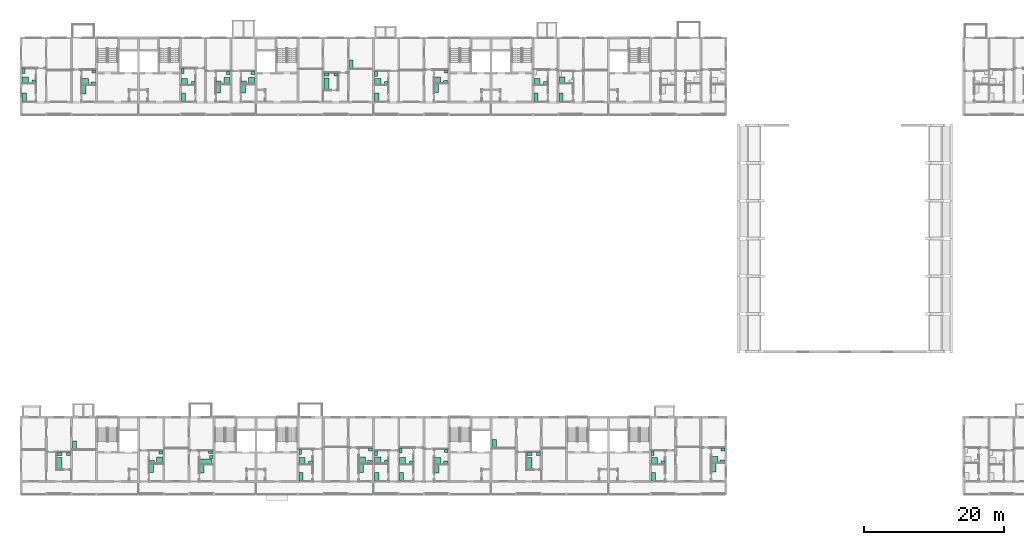
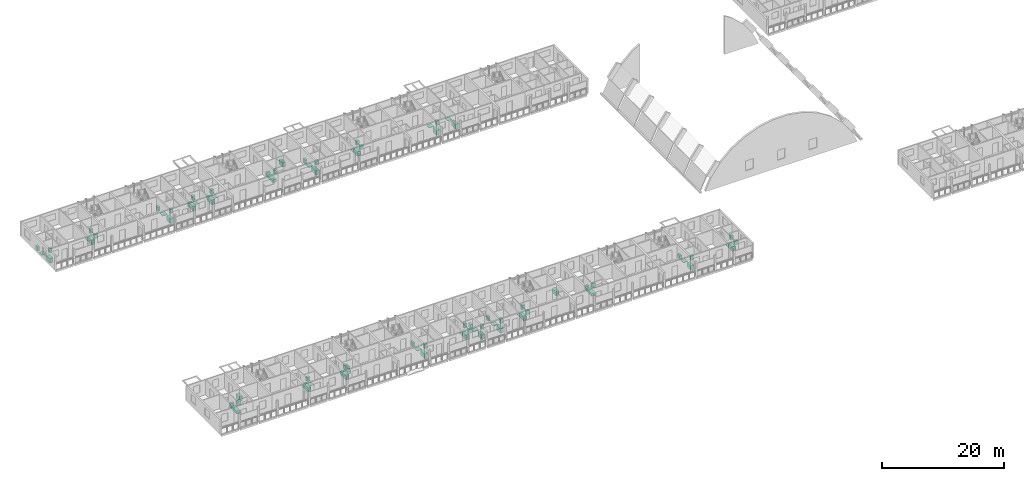
# One storey, part 98 of 100: 81 sanitary terminals.
"""IFC4 building model written with IfcOpenShell, lengths in metres."""

from ifc_helpers import new_model, si_unit, direction, frame, origin, origin_2d, place, context, subcontext, project, spatial, rectangle, extrude, element, save


model = new_model("IFC4")

# Units and contexts
model_context = context("Model", 3, precision=1e-05, world=origin(), true_north=direction((0.0, 1.0)))
body_context = subcontext(model_context, "Body", "Model", "MODEL_VIEW")
ifc_project = project(units=[si_unit("LENGTHUNIT", "METRE"), si_unit("AREAUNIT", "SQUARE_METRE"), si_unit("VOLUMEUNIT", "CUBIC_METRE"), si_unit("PLANEANGLEUNIT", "RADIAN"), si_unit("MASSUNIT", "GRAM", prefix="KILO")], contexts=[model_context])

# Site, building, storey
site_placement = place(None, origin())
site = spatial("IfcSite", under=ifc_project, at=site_placement, CompositionType="ELEMENT")
building_placement = place(site_placement, origin())
building = spatial("IfcBuilding", under=site, at=building_placement, Name="Ridgestep Commons", CompositionType="ELEMENT")
storey_placement = place(building_placement, frame((0.0, 0.0, 9.0)))
storey = spatial("IfcBuildingStorey", under=building, at=storey_placement, Name="L03", CompositionType="ELEMENT", Elevation=9.0)

# Sanitary terminals
sanitary_terminal_1_placement = place(storey_placement, frame((17.510009765625, 16.260009765625, 0.0), z_axis=(0.0, 0.0, 1.0), x_axis=(1.0, 0.0, 0.0)))
element("IfcSanitaryTerminal", 1, at=sanitary_terminal_1_placement, inside=storey, Name="Bath A1-03a", PredefinedType="BATH", context=body_context, shape_type="SweptSolid", body=[
    extrude(rectangle(XDim=0.75, YDim=1.699951171875, at=origin_2d()), origin(), (0.0, 0.0, 1.0), 0.550048828125),
])
sanitary_terminal_2_placement = place(storey_placement, frame((17.485107421875, 17.610107421875, 0.0), z_axis=(0.0, 0.0, 1.0), x_axis=(1.0, 0.0, 0.0)))
element("IfcSanitaryTerminal", 2, at=sanitary_terminal_2_placement, inside=storey, Name="WC A1-03a", PredefinedType="TOILETPAN", context=body_context, shape_type="SweptSolid", body=[
    extrude(rectangle(XDim=0.699951171875, YDim=0.39990234375, at=origin_2d()), origin(), (0.0, 0.0, 1.0), 0.800048828125),
])
sanitary_terminal_3_placement = place(storey_placement, frame((18.800048828125, 17.5849609375, 0.0), z_axis=(0.0, 0.0, 1.0), x_axis=(1.0, 0.0, 0.0)))
element("IfcSanitaryTerminal", 3, at=sanitary_terminal_3_placement, inside=storey, Name="Basin A1-03a", PredefinedType="WASHHANDBASIN", context=body_context, shape_type="SweptSolid", body=[
    extrude(rectangle(XDim=0.550048828125, YDim=0.449951171875, at=origin_2d()), origin(), (0.0, 0.0, 1.0), 0.85009765625),
])
sanitary_terminal_4_placement = place(storey_placement, frame((19.625, 18.860107421875, 0.0), z_axis=(0.0, 0.0, 1.0), x_axis=(1.0, 0.0, 0.0)))
element("IfcSanitaryTerminal", 4, at=sanitary_terminal_4_placement, inside=storey, Name="Kitchen sink A1-03a", PredefinedType="SINK", context=body_context, shape_type="SweptSolid", body=[
    extrude(rectangle(XDim=0.60009765625, YDim=1.199951171875, at=origin_2d()), origin(), (0.0, 0.0, 1.0), 0.89990234375),
])
sanitary_terminal_5_placement = place(storey_placement, frame((31.85009765625, 16.7099609375, 0.0), z_axis=(0.0, 0.0, 1.0), x_axis=(1.0, 0.0, 0.0)))
element("IfcSanitaryTerminal", 5, at=sanitary_terminal_5_placement, inside=storey, Name="Shower tray A2-03a", PredefinedType="SHOWER", context=body_context, shape_type="SweptSolid", body=[
    extrude(rectangle(XDim=0.89990234375, YDim=0.89990234375, at=origin_2d()), origin(), (0.0, 0.0, 1.0), 0.10009765625),
])
sanitary_terminal_6_placement = place(storey_placement, frame((30.7099609375, 16.4599609375, 0.0), z_axis=(0.0, 0.0, 1.0), x_axis=(1.0, 0.0, 0.0)))
element("IfcSanitaryTerminal", 6, at=sanitary_terminal_6_placement, inside=storey, Name="WC A2-03a", PredefinedType="TOILETPAN", context=body_context, shape_type="SweptSolid", body=[
    extrude(rectangle(XDim=0.699951171875, YDim=0.39990234375, at=origin_2d()), origin(), (0.0, 0.0, 1.0), 0.800048828125),
])
sanitary_terminal_7_placement = place(storey_placement, frame((32.02490234375, 17.824951171875, 0.0), z_axis=(0.0, 0.0, 1.0), x_axis=(1.0, 0.0, 0.0)))
element("IfcSanitaryTerminal", 7, at=sanitary_terminal_7_placement, inside=storey, Name="Basin A2-03a", PredefinedType="WASHHANDBASIN", context=body_context, shape_type="SweptSolid", body=[
    extrude(rectangle(XDim=0.550048828125, YDim=0.449951171875, at=origin_2d()), origin(), (0.0, 0.0, 1.0), 0.85009765625),
])
sanitary_terminal_8_placement = place(storey_placement, frame((30.659912109375, 15.550048828125, 0.0), z_axis=(0.0, 0.0, 1.0), x_axis=(1.0, 0.0, 0.0)))
element("IfcSanitaryTerminal", 8, at=sanitary_terminal_8_placement, inside=storey, Name="Kitchen sink A2-03a", PredefinedType="SINK", context=body_context, shape_type="SweptSolid", body=[
    extrude(rectangle(XDim=0.60009765625, YDim=1.199951171875, at=origin_2d()), origin(), (0.0, 0.0, 1.0), 0.89990234375),
])
sanitary_terminal_9_placement = place(storey_placement, frame((38.385009765625, 16.534912109375, 0.0), z_axis=(0.0, 0.0, 1.0), x_axis=(1.0, 0.0, 0.0)))
element("IfcSanitaryTerminal", 9, at=sanitary_terminal_9_placement, inside=storey, Name="Bath A2-03b", PredefinedType="BATH", context=body_context, shape_type="SweptSolid", body=[
    extrude(rectangle(XDim=1.699951171875, YDim=0.75, at=origin_2d()), origin(), (0.0, 0.0, 1.0), 0.550048828125),
])
sanitary_terminal_10_placement = place(storey_placement, frame((39.125, 17.85009765625, 0.0), z_axis=(0.0, 0.0, 1.0), x_axis=(1.0, 0.0, 0.0)))
element("IfcSanitaryTerminal", 10, at=sanitary_terminal_10_placement, inside=storey, Name="WC A2-03b", PredefinedType="TOILETPAN", context=body_context, shape_type="SweptSolid", body=[
    extrude(rectangle(XDim=0.699951171875, YDim=0.39990234375, at=origin_2d()), origin(), (0.0, 0.0, 1.0), 0.800048828125),
])
sanitary_terminal_11_placement = place(storey_placement, frame((39.199951171875, 17.18505859375, 0.0), z_axis=(0.0, 0.0, 1.0), x_axis=(1.0, 0.0, 0.0)))
element("IfcSanitaryTerminal", 11, at=sanitary_terminal_11_placement, inside=storey, Name="Basin A2-03b", PredefinedType="WASHHANDBASIN", context=body_context, shape_type="SweptSolid", body=[
    extrude(rectangle(XDim=0.550048828125, YDim=0.449951171875, at=origin_2d()), origin(), (0.0, 0.0, 1.0), 0.85009765625),
])
sanitary_terminal_12_placement = place(storey_placement, frame((37.8349609375, 15.449951171875, 0.0), z_axis=(0.0, 0.0, 1.0), x_axis=(1.0, 0.0, 0.0)))
element("IfcSanitaryTerminal", 12, at=sanitary_terminal_12_placement, inside=storey, Name="Kitchen sink A2-03b", PredefinedType="SINK", context=body_context, shape_type="SweptSolid", body=[
    extrude(rectangle(XDim=0.60009765625, YDim=1.199951171875, at=origin_2d()), origin(), (0.0, 0.0, 1.0), 0.89990234375),
])
sanitary_terminal_13_placement = place(storey_placement, frame((60.784912109375, 16.7099609375, 0.0), z_axis=(0.0, 0.0, 1.0), x_axis=(1.0, 0.0, 0.0)))
element("IfcSanitaryTerminal", 13, at=sanitary_terminal_13_placement, inside=storey, Name="Shower tray A3-03a", PredefinedType="SHOWER", context=body_context, shape_type="SweptSolid", body=[
    extrude(rectangle(XDim=0.89990234375, YDim=0.89990234375, at=origin_2d()), origin(), (0.0, 0.0, 1.0), 0.10009765625),
])
sanitary_terminal_14_placement = place(storey_placement, frame((61.89990234375, 16.4599609375, 0.0), z_axis=(0.0, 0.0, 1.0), x_axis=(1.0, 0.0, 0.0)))
element("IfcSanitaryTerminal", 14, at=sanitary_terminal_14_placement, inside=storey, Name="WC A3-03a", PredefinedType="TOILETPAN", context=body_context, shape_type="SweptSolid", body=[
    extrude(rectangle(XDim=0.699951171875, YDim=0.39990234375, at=origin_2d()), origin(), (0.0, 0.0, 1.0), 0.800048828125),
])
sanitary_terminal_15_placement = place(storey_placement, frame((61.97509765625, 18.22509765625, 0.0), z_axis=(0.0, 0.0, 1.0), x_axis=(1.0, 0.0, 0.0)))
element("IfcSanitaryTerminal", 15, at=sanitary_terminal_15_placement, inside=storey, Name="Basin A3-03a", PredefinedType="WASHHANDBASIN", context=body_context, shape_type="SweptSolid", body=[
    extrude(rectangle(XDim=0.550048828125, YDim=0.449951171875, at=origin_2d()), origin(), (0.0, 0.0, 1.0), 0.85009765625),
])
sanitary_terminal_16_placement = place(storey_placement, frame((60.635009765625, 15.550048828125, 0.0), z_axis=(0.0, 0.0, 1.0), x_axis=(1.0, 0.0, 0.0)))
element("IfcSanitaryTerminal", 16, at=sanitary_terminal_16_placement, inside=storey, Name="Kitchen sink A3-03a", PredefinedType="SINK", context=body_context, shape_type="SweptSolid", body=[
    extrude(rectangle(XDim=0.60009765625, YDim=1.199951171875, at=origin_2d()), origin(), (0.0, 0.0, 1.0), 0.89990234375),
])
sanitary_terminal_17_placement = place(storey_placement, frame((52.175048828125, 16.610107421875, 0.0), z_axis=(0.0, 0.0, 1.0), x_axis=(1.0, 0.0, 0.0)))
element("IfcSanitaryTerminal", 17, at=sanitary_terminal_17_placement, inside=storey, Name="Shower tray A3-03b", PredefinedType="SHOWER", context=body_context, shape_type="SweptSolid", body=[
    extrude(rectangle(XDim=0.89990234375, YDim=0.89990234375, at=origin_2d()), origin(), (0.0, 0.0, 1.0), 0.10009765625),
])
sanitary_terminal_18_placement = place(storey_placement, frame((51.925048828125, 17.89990234375, 0.0), z_axis=(0.0, 0.0, 1.0), x_axis=(1.0, 0.0, 0.0)))
element("IfcSanitaryTerminal", 18, at=sanitary_terminal_18_placement, inside=storey, Name="WC A3-03b", PredefinedType="TOILETPAN", context=body_context, shape_type="SweptSolid", body=[
    extrude(rectangle(XDim=0.39990234375, YDim=0.699951171875, at=origin_2d()), origin(), (0.0, 0.0, 1.0), 0.800048828125),
])
sanitary_terminal_19_placement = place(storey_placement, frame((53.389892578125, 16.385009765625, 0.0), z_axis=(0.0, 0.0, 1.0), x_axis=(1.0, 0.0, 0.0)))
element("IfcSanitaryTerminal", 19, at=sanitary_terminal_19_placement, inside=storey, Name="Basin A3-03b", PredefinedType="WASHHANDBASIN", context=body_context, shape_type="SweptSolid", body=[
    extrude(rectangle(XDim=0.550048828125, YDim=0.449951171875, at=origin_2d()), origin(), (0.0, 0.0, 1.0), 0.85009765625),
])
sanitary_terminal_20_placement = place(storey_placement, frame((52.02490234375, 14.35009765625, 0.0), z_axis=(0.0, 0.0, 1.0), x_axis=(1.0, 0.0, 0.0)))
element("IfcSanitaryTerminal", 20, at=sanitary_terminal_20_placement, inside=storey, Name="Kitchen sink A3-03b", PredefinedType="SINK", context=body_context, shape_type="SweptSolid", body=[
    extrude(rectangle(XDim=0.60009765625, YDim=1.199951171875, at=origin_2d()), origin(), (0.0, 0.0, 1.0), 0.89990234375),
])
sanitary_terminal_21_placement = place(storey_placement, frame((63.0, 16.7099609375, 0.0), z_axis=(0.0, 0.0, 1.0), x_axis=(1.0, 0.0, 0.0)))
element("IfcSanitaryTerminal", 21, at=sanitary_terminal_21_placement, inside=storey, Name="Shower tray A4-03a", PredefinedType="SHOWER", context=body_context, shape_type="SweptSolid", body=[
    extrude(rectangle(XDim=0.89990234375, YDim=0.89990234375, at=origin_2d()), origin(), (0.0, 0.0, 1.0), 0.10009765625),
])
sanitary_terminal_22_placement = place(storey_placement, frame((62.75, 17.699951171875, 0.0), z_axis=(0.0, 0.0, 1.0), x_axis=(1.0, 0.0, 0.0)))
element("IfcSanitaryTerminal", 22, at=sanitary_terminal_22_placement, inside=storey, Name="WC A4-03a", PredefinedType="TOILETPAN", context=body_context, shape_type="SweptSolid", body=[
    extrude(rectangle(XDim=0.39990234375, YDim=0.699951171875, at=origin_2d()), origin(), (0.0, 0.0, 1.0), 0.800048828125),
])
sanitary_terminal_23_placement = place(storey_placement, frame((64.215087890625, 16.485107421875, 0.0), z_axis=(0.0, 0.0, 1.0), x_axis=(1.0, 0.0, 0.0)))
element("IfcSanitaryTerminal", 23, at=sanitary_terminal_23_placement, inside=storey, Name="Basin A4-03a", PredefinedType="WASHHANDBASIN", context=body_context, shape_type="SweptSolid", body=[
    extrude(rectangle(XDim=0.550048828125, YDim=0.449951171875, at=origin_2d()), origin(), (0.0, 0.0, 1.0), 0.85009765625),
])
sanitary_terminal_24_placement = place(storey_placement, frame((62.85009765625, 14.35009765625, 0.0), z_axis=(0.0, 0.0, 1.0), x_axis=(1.0, 0.0, 0.0)))
element("IfcSanitaryTerminal", 24, at=sanitary_terminal_24_placement, inside=storey, Name="Kitchen sink A4-03a", PredefinedType="SINK", context=body_context, shape_type="SweptSolid", body=[
    extrude(rectangle(XDim=0.60009765625, YDim=1.199951171875, at=origin_2d()), origin(), (0.0, 0.0, 1.0), 0.89990234375),
])
sanitary_terminal_25_placement = place(storey_placement, frame((66.550048828125, 16.610107421875, 0.0), z_axis=(0.0, 0.0, 1.0), x_axis=(1.0, 0.0, 0.0)))
element("IfcSanitaryTerminal", 25, at=sanitary_terminal_25_placement, inside=storey, Name="Shower tray A4-03b", PredefinedType="SHOWER", context=body_context, shape_type="SweptSolid", body=[
    extrude(rectangle(XDim=0.89990234375, YDim=0.89990234375, at=origin_2d()), origin(), (0.0, 0.0, 1.0), 0.10009765625),
])
sanitary_terminal_26_placement = place(storey_placement, frame((66.300048828125, 18.10009765625, 0.0), z_axis=(0.0, 0.0, 1.0), x_axis=(1.0, 0.0, 0.0)))
element("IfcSanitaryTerminal", 26, at=sanitary_terminal_26_placement, inside=storey, Name="WC A4-03b", PredefinedType="TOILETPAN", context=body_context, shape_type="SweptSolid", body=[
    extrude(rectangle(XDim=0.39990234375, YDim=0.699951171875, at=origin_2d()), origin(), (0.0, 0.0, 1.0), 0.800048828125),
])
sanitary_terminal_27_placement = place(storey_placement, frame((67.7900390625, 16.385009765625, 0.0), z_axis=(0.0, 0.0, 1.0), x_axis=(1.0, 0.0, 0.0)))
element("IfcSanitaryTerminal", 27, at=sanitary_terminal_27_placement, inside=storey, Name="Basin A4-03b", PredefinedType="WASHHANDBASIN", context=body_context, shape_type="SweptSolid", body=[
    extrude(rectangle(XDim=0.550048828125, YDim=0.449951171875, at=origin_2d()), origin(), (0.0, 0.0, 1.0), 0.85009765625),
])
sanitary_terminal_28_placement = place(storey_placement, frame((66.39990234375, 14.35009765625, 0.0), z_axis=(0.0, 0.0, 1.0), x_axis=(1.0, 0.0, 0.0)))
element("IfcSanitaryTerminal", 28, at=sanitary_terminal_28_placement, inside=storey, Name="Kitchen sink A4-03b", PredefinedType="SINK", context=body_context, shape_type="SweptSolid", body=[
    extrude(rectangle(XDim=0.60009765625, YDim=1.199951171875, at=origin_2d()), origin(), (0.0, 0.0, 1.0), 0.89990234375),
])
sanitary_terminal_29_placement = place(storey_placement, frame((71.5849609375, 16.610107421875, 0.0), z_axis=(0.0, 0.0, 1.0), x_axis=(1.0, 0.0, 0.0)))
element("IfcSanitaryTerminal", 29, at=sanitary_terminal_29_placement, inside=storey, Name="Shower tray A4-03c", PredefinedType="SHOWER", context=body_context, shape_type="SweptSolid", body=[
    extrude(rectangle(XDim=0.89990234375, YDim=0.89990234375, at=origin_2d()), origin(), (0.0, 0.0, 1.0), 0.10009765625),
])
sanitary_terminal_30_placement = place(storey_placement, frame((72.72509765625, 16.360107421875, 0.0), z_axis=(0.0, 0.0, 1.0), x_axis=(1.0, 0.0, 0.0)))
element("IfcSanitaryTerminal", 30, at=sanitary_terminal_30_placement, inside=storey, Name="WC A4-03c", PredefinedType="TOILETPAN", context=body_context, shape_type="SweptSolid", body=[
    extrude(rectangle(XDim=0.699951171875, YDim=0.39990234375, at=origin_2d()), origin(), (0.0, 0.0, 1.0), 0.800048828125),
])
sanitary_terminal_31_placement = place(storey_placement, frame((72.800048828125, 18.02490234375, 0.0), z_axis=(0.0, 0.0, 1.0), x_axis=(1.0, 0.0, 0.0)))
element("IfcSanitaryTerminal", 31, at=sanitary_terminal_31_placement, inside=storey, Name="Basin A4-03c", PredefinedType="WASHHANDBASIN", context=body_context, shape_type="SweptSolid", body=[
    extrude(rectangle(XDim=0.550048828125, YDim=0.449951171875, at=origin_2d()), origin(), (0.0, 0.0, 1.0), 0.85009765625),
])
sanitary_terminal_32_placement = place(storey_placement, frame((71.43505859375, 15.449951171875, 0.0), z_axis=(0.0, 0.0, 1.0), x_axis=(1.0, 0.0, 0.0)))
element("IfcSanitaryTerminal", 32, at=sanitary_terminal_32_placement, inside=storey, Name="Kitchen sink A4-03c", PredefinedType="SINK", context=body_context, shape_type="SweptSolid", body=[
    extrude(rectangle(XDim=0.60009765625, YDim=1.199951171875, at=origin_2d()), origin(), (0.0, 0.0, 1.0), 0.89990234375),
])
sanitary_terminal_33_placement = place(storey_placement, frame((84.7099609375, 16.260009765625, 0.0), z_axis=(0.0, 0.0, 1.0), x_axis=(1.0, 0.0, 0.0)))
element("IfcSanitaryTerminal", 33, at=sanitary_terminal_33_placement, inside=storey, Name="Bath A5-03a", PredefinedType="BATH", context=body_context, shape_type="SweptSolid", body=[
    extrude(rectangle(XDim=0.75, YDim=1.699951171875, at=origin_2d()), origin(), (0.0, 0.0, 1.0), 0.550048828125),
])
sanitary_terminal_34_placement = place(storey_placement, frame((84.68505859375, 17.610107421875, 0.0), z_axis=(0.0, 0.0, 1.0), x_axis=(1.0, 0.0, 0.0)))
element("IfcSanitaryTerminal", 34, at=sanitary_terminal_34_placement, inside=storey, Name="WC A5-03a", PredefinedType="TOILETPAN", context=body_context, shape_type="SweptSolid", body=[
    extrude(rectangle(XDim=0.699951171875, YDim=0.39990234375, at=origin_2d()), origin(), (0.0, 0.0, 1.0), 0.800048828125),
])
sanitary_terminal_35_placement = place(storey_placement, frame((86.0, 17.5849609375, 0.0), z_axis=(0.0, 0.0, 1.0), x_axis=(1.0, 0.0, 0.0)))
element("IfcSanitaryTerminal", 35, at=sanitary_terminal_35_placement, inside=storey, Name="Basin A5-03a", PredefinedType="WASHHANDBASIN", context=body_context, shape_type="SweptSolid", body=[
    extrude(rectangle(XDim=0.550048828125, YDim=0.449951171875, at=origin_2d()), origin(), (0.0, 0.0, 1.0), 0.85009765625),
])
sanitary_terminal_36_placement = place(storey_placement, frame((79.64990234375, 19.06005859375, 0.0), z_axis=(0.0, 0.0, 1.0), x_axis=(1.0, 0.0, 0.0)))
element("IfcSanitaryTerminal", 36, at=sanitary_terminal_36_placement, inside=storey, Name="Kitchen sink A5-03a", PredefinedType="SINK", context=body_context, shape_type="SweptSolid", body=[
    extrude(rectangle(XDim=0.60009765625, YDim=1.199951171875, at=origin_2d()), origin(), (0.0, 0.0, 1.0), 0.89990234375),
])
sanitary_terminal_37_placement = place(storey_placement, frame((111.18505859375, 16.81005859375, 0.0), z_axis=(0.0, 0.0, 1.0), x_axis=(1.0, 0.0, 0.0)))
element("IfcSanitaryTerminal", 37, at=sanitary_terminal_37_placement, inside=storey, Name="Shower tray A6-03a", PredefinedType="SHOWER", context=body_context, shape_type="SweptSolid", body=[
    extrude(rectangle(XDim=0.89990234375, YDim=0.89990234375, at=origin_2d()), origin(), (0.0, 0.0, 1.0), 0.10009765625),
])
sanitary_terminal_38_placement = place(storey_placement, frame((112.300048828125, 16.56005859375, 0.0), z_axis=(0.0, 0.0, 1.0), x_axis=(1.0, 0.0, 0.0)))
element("IfcSanitaryTerminal", 38, at=sanitary_terminal_38_placement, inside=storey, Name="WC A6-03a", PredefinedType="TOILETPAN", context=body_context, shape_type="SweptSolid", body=[
    extrude(rectangle(XDim=0.699951171875, YDim=0.39990234375, at=origin_2d()), origin(), (0.0, 0.0, 1.0), 0.800048828125),
])
sanitary_terminal_39_placement = place(storey_placement, frame((112.375, 18.22509765625, 0.0), z_axis=(0.0, 0.0, 1.0), x_axis=(1.0, 0.0, 0.0)))
element("IfcSanitaryTerminal", 39, at=sanitary_terminal_39_placement, inside=storey, Name="Basin A6-03a", PredefinedType="WASHHANDBASIN", context=body_context, shape_type="SweptSolid", body=[
    extrude(rectangle(XDim=0.550048828125, YDim=0.449951171875, at=origin_2d()), origin(), (0.0, 0.0, 1.0), 0.85009765625),
])
sanitary_terminal_40_placement = place(storey_placement, frame((111.034912109375, 15.64990234375, 0.0), z_axis=(0.0, 0.0, 1.0), x_axis=(1.0, 0.0, 0.0)))
element("IfcSanitaryTerminal", 40, at=sanitary_terminal_40_placement, inside=storey, Name="Kitchen sink A6-03a", PredefinedType="SINK", context=body_context, shape_type="SweptSolid", body=[
    extrude(rectangle(XDim=0.60009765625, YDim=1.199951171875, at=origin_2d()), origin(), (0.0, 0.0, 1.0), 0.89990234375),
])
sanitary_terminal_41_placement = place(storey_placement, frame((102.574951171875, 16.610107421875, 0.0), z_axis=(0.0, 0.0, 1.0), x_axis=(1.0, 0.0, 0.0)))
element("IfcSanitaryTerminal", 41, at=sanitary_terminal_41_placement, inside=storey, Name="Shower tray A6-03b", PredefinedType="SHOWER", context=body_context, shape_type="SweptSolid", body=[
    extrude(rectangle(XDim=0.89990234375, YDim=0.89990234375, at=origin_2d()), origin(), (0.0, 0.0, 1.0), 0.10009765625),
])
sanitary_terminal_42_placement = place(storey_placement, frame((102.324951171875, 17.699951171875, 0.0), z_axis=(0.0, 0.0, 1.0), x_axis=(1.0, 0.0, 0.0)))
element("IfcSanitaryTerminal", 42, at=sanitary_terminal_42_placement, inside=storey, Name="WC A6-03b", PredefinedType="TOILETPAN", context=body_context, shape_type="SweptSolid", body=[
    extrude(rectangle(XDim=0.39990234375, YDim=0.699951171875, at=origin_2d()), origin(), (0.0, 0.0, 1.0), 0.800048828125),
])
sanitary_terminal_43_placement = place(storey_placement, frame((103.7900390625, 16.385009765625, 0.0), z_axis=(0.0, 0.0, 1.0), x_axis=(1.0, 0.0, 0.0)))
element("IfcSanitaryTerminal", 43, at=sanitary_terminal_43_placement, inside=storey, Name="Basin A6-03b", PredefinedType="WASHHANDBASIN", context=body_context, shape_type="SweptSolid", body=[
    extrude(rectangle(XDim=0.550048828125, YDim=0.449951171875, at=origin_2d()), origin(), (0.0, 0.0, 1.0), 0.85009765625),
])
sanitary_terminal_44_placement = place(storey_placement, frame((102.425048828125, 14.35009765625, 0.0), z_axis=(0.0, 0.0, 1.0), x_axis=(1.0, 0.0, 0.0)))
element("IfcSanitaryTerminal", 44, at=sanitary_terminal_44_placement, inside=storey, Name="Kitchen sink A6-03b", PredefinedType="SINK", context=body_context, shape_type="SweptSolid", body=[
    extrude(rectangle(XDim=0.60009765625, YDim=1.199951171875, at=origin_2d()), origin(), (0.0, 0.0, 1.0), 0.89990234375),
])
sanitary_terminal_45_placement = place(storey_placement, frame((12.60009765625, 71.06005859375, 0.0), z_axis=(0.0, 0.0, 1.0), x_axis=(1.0, 0.0, 0.0)))
element("IfcSanitaryTerminal", 45, at=sanitary_terminal_45_placement, inside=storey, Name="Shower tray B1-03a", PredefinedType="SHOWER", context=body_context, shape_type="SweptSolid", body=[
    extrude(rectangle(XDim=0.89990234375, YDim=0.89990234375, at=origin_2d()), origin(), (0.0, 0.0, 1.0), 0.10009765625),
])
sanitary_terminal_46_placement = place(storey_placement, frame((12.35009765625, 72.35009765625, 0.0), z_axis=(0.0, 0.0, 1.0), x_axis=(1.0, 0.0, 0.0)))
element("IfcSanitaryTerminal", 46, at=sanitary_terminal_46_placement, inside=storey, Name="WC B1-03a", PredefinedType="TOILETPAN", context=body_context, shape_type="SweptSolid", body=[
    extrude(rectangle(XDim=0.39990234375, YDim=0.699951171875, at=origin_2d()), origin(), (0.0, 0.0, 1.0), 0.800048828125),
])
sanitary_terminal_47_placement = place(storey_placement, frame((13.81494140625, 70.8349609375, 0.0), z_axis=(0.0, 0.0, 1.0), x_axis=(1.0, 0.0, 0.0)))
element("IfcSanitaryTerminal", 47, at=sanitary_terminal_47_placement, inside=storey, Name="Basin B1-03a", PredefinedType="WASHHANDBASIN", context=body_context, shape_type="SweptSolid", body=[
    extrude(rectangle(XDim=0.550048828125, YDim=0.449951171875, at=origin_2d()), origin(), (0.0, 0.0, 1.0), 0.85009765625),
])
sanitary_terminal_48_placement = place(storey_placement, frame((12.449951171875, 68.60009765625, 0.0), z_axis=(0.0, 0.0, 1.0), x_axis=(1.0, 0.0, 0.0)))
element("IfcSanitaryTerminal", 48, at=sanitary_terminal_48_placement, inside=storey, Name="Kitchen sink B1-03a", PredefinedType="SINK", context=body_context, shape_type="SweptSolid", body=[
    extrude(rectangle(XDim=0.60009765625, YDim=1.199951171875, at=origin_2d()), origin(), (0.0, 0.0, 1.0), 0.89990234375),
])
sanitary_terminal_49_placement = place(storey_placement, frame((21.159912109375, 70.860107421875, 0.0), z_axis=(0.0, 0.0, 1.0), x_axis=(1.0, 0.0, 0.0)))
element("IfcSanitaryTerminal", 49, at=sanitary_terminal_49_placement, inside=storey, Name="Shower tray B1-03b", PredefinedType="SHOWER", context=body_context, shape_type="SweptSolid", body=[
    extrude(rectangle(XDim=0.89990234375, YDim=0.89990234375, at=origin_2d()), origin(), (0.0, 0.0, 1.0), 0.10009765625),
])
sanitary_terminal_50_placement = place(storey_placement, frame((22.324951171875, 70.610107421875, 0.0), z_axis=(0.0, 0.0, 1.0), x_axis=(1.0, 0.0, 0.0)))
element("IfcSanitaryTerminal", 50, at=sanitary_terminal_50_placement, inside=storey, Name="WC B1-03b", PredefinedType="TOILETPAN", context=body_context, shape_type="SweptSolid", body=[
    extrude(rectangle(XDim=0.699951171875, YDim=0.39990234375, at=origin_2d()), origin(), (0.0, 0.0, 1.0), 0.800048828125),
])
sanitary_terminal_51_placement = place(storey_placement, frame((22.39990234375, 72.27490234375, 0.0), z_axis=(0.0, 0.0, 1.0), x_axis=(1.0, 0.0, 0.0)))
element("IfcSanitaryTerminal", 51, at=sanitary_terminal_51_placement, inside=storey, Name="Basin B1-03b", PredefinedType="WASHHANDBASIN", context=body_context, shape_type="SweptSolid", body=[
    extrude(rectangle(XDim=0.550048828125, YDim=0.449951171875, at=origin_2d()), origin(), (0.0, 0.0, 1.0), 0.85009765625),
])
sanitary_terminal_52_placement = place(storey_placement, frame((21.010009765625, 69.699951171875, 0.0), z_axis=(0.0, 0.0, 1.0), x_axis=(1.0, 0.0, 0.0)))
element("IfcSanitaryTerminal", 52, at=sanitary_terminal_52_placement, inside=storey, Name="Kitchen sink B1-03b", PredefinedType="SINK", context=body_context, shape_type="SweptSolid", body=[
    extrude(rectangle(XDim=0.60009765625, YDim=1.199951171875, at=origin_2d()), origin(), (0.0, 0.0, 1.0), 0.89990234375),
])
sanitary_terminal_53_placement = place(storey_placement, frame((45.0, 70.9599609375, 0.0), z_axis=(0.0, 0.0, 1.0), x_axis=(1.0, 0.0, 0.0)))
element("IfcSanitaryTerminal", 53, at=sanitary_terminal_53_placement, inside=storey, Name="Shower tray B2-03a", PredefinedType="SHOWER", context=body_context, shape_type="SweptSolid", body=[
    extrude(rectangle(XDim=0.89990234375, YDim=0.89990234375, at=origin_2d()), origin(), (0.0, 0.0, 1.0), 0.10009765625),
])
sanitary_terminal_54_placement = place(storey_placement, frame((43.860107421875, 70.7099609375, 0.0), z_axis=(0.0, 0.0, 1.0), x_axis=(1.0, 0.0, 0.0)))
element("IfcSanitaryTerminal", 54, at=sanitary_terminal_54_placement, inside=storey, Name="WC B2-03a", PredefinedType="TOILETPAN", context=body_context, shape_type="SweptSolid", body=[
    extrude(rectangle(XDim=0.699951171875, YDim=0.39990234375, at=origin_2d()), origin(), (0.0, 0.0, 1.0), 0.800048828125),
])
sanitary_terminal_55_placement = place(storey_placement, frame((45.175048828125, 72.074951171875, 0.0), z_axis=(0.0, 0.0, 1.0), x_axis=(1.0, 0.0, 0.0)))
element("IfcSanitaryTerminal", 55, at=sanitary_terminal_55_placement, inside=storey, Name="Basin B2-03a", PredefinedType="WASHHANDBASIN", context=body_context, shape_type="SweptSolid", body=[
    extrude(rectangle(XDim=0.550048828125, YDim=0.449951171875, at=origin_2d()), origin(), (0.0, 0.0, 1.0), 0.85009765625),
])
sanitary_terminal_56_placement = place(storey_placement, frame((43.81005859375, 69.800048828125, 0.0), z_axis=(0.0, 0.0, 1.0), x_axis=(1.0, 0.0, 0.0)))
element("IfcSanitaryTerminal", 56, at=sanitary_terminal_56_placement, inside=storey, Name="Kitchen sink B2-03a", PredefinedType="SINK", context=body_context, shape_type="SweptSolid", body=[
    extrude(rectangle(XDim=0.60009765625, YDim=1.199951171875, at=origin_2d()), origin(), (0.0, 0.0, 1.0), 0.89990234375),
])
sanitary_terminal_57_placement = place(storey_placement, frame((41.449951171875, 70.9599609375, 0.0), z_axis=(0.0, 0.0, 1.0), x_axis=(1.0, 0.0, 0.0)))
element("IfcSanitaryTerminal", 57, at=sanitary_terminal_57_placement, inside=storey, Name="Shower tray B2-03b", PredefinedType="SHOWER", context=body_context, shape_type="SweptSolid", body=[
    extrude(rectangle(XDim=0.89990234375, YDim=0.89990234375, at=origin_2d()), origin(), (0.0, 0.0, 1.0), 0.10009765625),
])
sanitary_terminal_58_placement = place(storey_placement, frame((40.260009765625, 70.7099609375, 0.0), z_axis=(0.0, 0.0, 1.0), x_axis=(1.0, 0.0, 0.0)))
element("IfcSanitaryTerminal", 58, at=sanitary_terminal_58_placement, inside=storey, Name="WC B2-03b", PredefinedType="TOILETPAN", context=body_context, shape_type="SweptSolid", body=[
    extrude(rectangle(XDim=0.699951171875, YDim=0.39990234375, at=origin_2d()), origin(), (0.0, 0.0, 1.0), 0.800048828125),
])
sanitary_terminal_59_placement = place(storey_placement, frame((41.625, 72.074951171875, 0.0), z_axis=(0.0, 0.0, 1.0), x_axis=(1.0, 0.0, 0.0)))
element("IfcSanitaryTerminal", 59, at=sanitary_terminal_59_placement, inside=storey, Name="Basin B2-03b", PredefinedType="WASHHANDBASIN", context=body_context, shape_type="SweptSolid", body=[
    extrude(rectangle(XDim=0.550048828125, YDim=0.449951171875, at=origin_2d()), origin(), (0.0, 0.0, 1.0), 0.85009765625),
])
sanitary_terminal_60_placement = place(storey_placement, frame((40.2099609375, 69.800048828125, 0.0), z_axis=(0.0, 0.0, 1.0), x_axis=(1.0, 0.0, 0.0)))
element("IfcSanitaryTerminal", 60, at=sanitary_terminal_60_placement, inside=storey, Name="Kitchen sink B2-03b", PredefinedType="SINK", context=body_context, shape_type="SweptSolid", body=[
    extrude(rectangle(XDim=0.60009765625, YDim=1.199951171875, at=origin_2d()), origin(), (0.0, 0.0, 1.0), 0.89990234375),
])
sanitary_terminal_61_placement = place(storey_placement, frame((35.375, 70.860107421875, 0.0), z_axis=(0.0, 0.0, 1.0), x_axis=(1.0, 0.0, 0.0)))
element("IfcSanitaryTerminal", 61, at=sanitary_terminal_61_placement, inside=storey, Name="Shower tray B2-03c", PredefinedType="SHOWER", context=body_context, shape_type="SweptSolid", body=[
    extrude(rectangle(XDim=0.89990234375, YDim=0.89990234375, at=origin_2d()), origin(), (0.0, 0.0, 1.0), 0.10009765625),
])
sanitary_terminal_62_placement = place(storey_placement, frame((35.125, 72.35009765625, 0.0), z_axis=(0.0, 0.0, 1.0), x_axis=(1.0, 0.0, 0.0)))
element("IfcSanitaryTerminal", 62, at=sanitary_terminal_62_placement, inside=storey, Name="WC B2-03c", PredefinedType="TOILETPAN", context=body_context, shape_type="SweptSolid", body=[
    extrude(rectangle(XDim=0.39990234375, YDim=0.699951171875, at=origin_2d()), origin(), (0.0, 0.0, 1.0), 0.800048828125),
])
sanitary_terminal_63_placement = place(storey_placement, frame((36.614990234375, 70.635009765625, 0.0), z_axis=(0.0, 0.0, 1.0), x_axis=(1.0, 0.0, 0.0)))
element("IfcSanitaryTerminal", 63, at=sanitary_terminal_63_placement, inside=storey, Name="Basin B2-03c", PredefinedType="WASHHANDBASIN", context=body_context, shape_type="SweptSolid", body=[
    extrude(rectangle(XDim=0.550048828125, YDim=0.449951171875, at=origin_2d()), origin(), (0.0, 0.0, 1.0), 0.85009765625),
])
sanitary_terminal_64_placement = place(storey_placement, frame((35.22509765625, 68.60009765625, 0.0), z_axis=(0.0, 0.0, 1.0), x_axis=(1.0, 0.0, 0.0)))
element("IfcSanitaryTerminal", 64, at=sanitary_terminal_64_placement, inside=storey, Name="Kitchen sink B2-03c", PredefinedType="SINK", context=body_context, shape_type="SweptSolid", body=[
    extrude(rectangle(XDim=0.60009765625, YDim=1.199951171875, at=origin_2d()), origin(), (0.0, 0.0, 1.0), 0.89990234375),
])
sanitary_terminal_65_placement = place(storey_placement, frame((55.675048828125, 70.510009765625, 0.0), z_axis=(0.0, 0.0, 1.0), x_axis=(1.0, 0.0, 0.0)))
element("IfcSanitaryTerminal", 65, at=sanitary_terminal_65_placement, inside=storey, Name="Bath B3-03a", PredefinedType="BATH", context=body_context, shape_type="SweptSolid", body=[
    extrude(rectangle(XDim=0.75, YDim=1.699951171875, at=origin_2d()), origin(), (0.0, 0.0, 1.0), 0.550048828125),
])
sanitary_terminal_66_placement = place(storey_placement, frame((55.64990234375, 71.860107421875, 0.0), z_axis=(0.0, 0.0, 1.0), x_axis=(1.0, 0.0, 0.0)))
element("IfcSanitaryTerminal", 66, at=sanitary_terminal_66_placement, inside=storey, Name="WC B3-03a", PredefinedType="TOILETPAN", context=body_context, shape_type="SweptSolid", body=[
    extrude(rectangle(XDim=0.699951171875, YDim=0.39990234375, at=origin_2d()), origin(), (0.0, 0.0, 1.0), 0.800048828125),
])
sanitary_terminal_67_placement = place(storey_placement, frame((57.014892578125, 71.8349609375, 0.0), z_axis=(0.0, 0.0, 1.0), x_axis=(1.0, 0.0, 0.0)))
element("IfcSanitaryTerminal", 67, at=sanitary_terminal_67_placement, inside=storey, Name="Basin B3-03a", PredefinedType="WASHHANDBASIN", context=body_context, shape_type="SweptSolid", body=[
    extrude(rectangle(XDim=0.550048828125, YDim=0.449951171875, at=origin_2d()), origin(), (0.0, 0.0, 1.0), 0.85009765625),
])
sanitary_terminal_68_placement = place(storey_placement, frame((59.199951171875, 73.31005859375, 0.0), z_axis=(0.0, 0.0, 1.0), x_axis=(1.0, 0.0, 0.0)))
element("IfcSanitaryTerminal", 68, at=sanitary_terminal_68_placement, inside=storey, Name="Kitchen sink B3-03a", PredefinedType="SINK", context=body_context, shape_type="SweptSolid", body=[
    extrude(rectangle(XDim=0.60009765625, YDim=1.199951171875, at=origin_2d()), origin(), (0.0, 0.0, 1.0), 0.89990234375),
])
sanitary_terminal_69_placement = place(storey_placement, frame((63.0, 70.860107421875, 0.0), z_axis=(0.0, 0.0, 1.0), x_axis=(1.0, 0.0, 0.0)))
element("IfcSanitaryTerminal", 69, at=sanitary_terminal_69_placement, inside=storey, Name="Shower tray B4-03a", PredefinedType="SHOWER", context=body_context, shape_type="SweptSolid", body=[
    extrude(rectangle(XDim=0.89990234375, YDim=0.89990234375, at=origin_2d()), origin(), (0.0, 0.0, 1.0), 0.10009765625),
])
sanitary_terminal_70_placement = place(storey_placement, frame((62.75, 71.949951171875, 0.0), z_axis=(0.0, 0.0, 1.0), x_axis=(1.0, 0.0, 0.0)))
element("IfcSanitaryTerminal", 70, at=sanitary_terminal_70_placement, inside=storey, Name="WC B4-03a", PredefinedType="TOILETPAN", context=body_context, shape_type="SweptSolid", body=[
    extrude(rectangle(XDim=0.39990234375, YDim=0.699951171875, at=origin_2d()), origin(), (0.0, 0.0, 1.0), 0.800048828125),
])
sanitary_terminal_71_placement = place(storey_placement, frame((64.215087890625, 70.635009765625, 0.0), z_axis=(0.0, 0.0, 1.0), x_axis=(1.0, 0.0, 0.0)))
element("IfcSanitaryTerminal", 71, at=sanitary_terminal_71_placement, inside=storey, Name="Basin B4-03a", PredefinedType="WASHHANDBASIN", context=body_context, shape_type="SweptSolid", body=[
    extrude(rectangle(XDim=0.550048828125, YDim=0.449951171875, at=origin_2d()), origin(), (0.0, 0.0, 1.0), 0.85009765625),
])
sanitary_terminal_72_placement = place(storey_placement, frame((62.85009765625, 68.60009765625, 0.0), z_axis=(0.0, 0.0, 1.0), x_axis=(1.0, 0.0, 0.0)))
element("IfcSanitaryTerminal", 72, at=sanitary_terminal_72_placement, inside=storey, Name="Kitchen sink B4-03a", PredefinedType="SINK", context=body_context, shape_type="SweptSolid", body=[
    extrude(rectangle(XDim=0.60009765625, YDim=1.199951171875, at=origin_2d()), origin(), (0.0, 0.0, 1.0), 0.89990234375),
])
sanitary_terminal_73_placement = place(storey_placement, frame((71.56005859375, 71.06005859375, 0.0), z_axis=(0.0, 0.0, 1.0), x_axis=(1.0, 0.0, 0.0)))
element("IfcSanitaryTerminal", 73, at=sanitary_terminal_73_placement, inside=storey, Name="Shower tray B4-03b", PredefinedType="SHOWER", context=body_context, shape_type="SweptSolid", body=[
    extrude(rectangle(XDim=0.89990234375, YDim=0.89990234375, at=origin_2d()), origin(), (0.0, 0.0, 1.0), 0.10009765625),
])
sanitary_terminal_74_placement = place(storey_placement, frame((72.72509765625, 70.81005859375, 0.0), z_axis=(0.0, 0.0, 1.0), x_axis=(1.0, 0.0, 0.0)))
element("IfcSanitaryTerminal", 74, at=sanitary_terminal_74_placement, inside=storey, Name="WC B4-03b", PredefinedType="TOILETPAN", context=body_context, shape_type="SweptSolid", body=[
    extrude(rectangle(XDim=0.699951171875, YDim=0.39990234375, at=origin_2d()), origin(), (0.0, 0.0, 1.0), 0.800048828125),
])
sanitary_terminal_75_placement = place(storey_placement, frame((72.800048828125, 72.27490234375, 0.0), z_axis=(0.0, 0.0, 1.0), x_axis=(1.0, 0.0, 0.0)))
element("IfcSanitaryTerminal", 75, at=sanitary_terminal_75_placement, inside=storey, Name="Basin B4-03b", PredefinedType="WASHHANDBASIN", context=body_context, shape_type="SweptSolid", body=[
    extrude(rectangle(XDim=0.550048828125, YDim=0.449951171875, at=origin_2d()), origin(), (0.0, 0.0, 1.0), 0.85009765625),
])
sanitary_terminal_76_placement = place(storey_placement, frame((71.409912109375, 69.89990234375, 0.0), z_axis=(0.0, 0.0, 1.0), x_axis=(1.0, 0.0, 0.0)))
element("IfcSanitaryTerminal", 76, at=sanitary_terminal_76_placement, inside=storey, Name="Kitchen sink B4-03b", PredefinedType="SINK", context=body_context, shape_type="SweptSolid", body=[
    extrude(rectangle(XDim=0.60009765625, YDim=1.199951171875, at=origin_2d()), origin(), (0.0, 0.0, 1.0), 0.89990234375),
])
sanitary_terminal_77_placement = place(storey_placement, frame((89.35009765625, 71.06005859375, 0.0), z_axis=(0.0, 0.0, 1.0), x_axis=(1.0, 0.0, 0.0)))
element("IfcSanitaryTerminal", 77, at=sanitary_terminal_77_placement, inside=storey, Name="Shower tray B5-03a", PredefinedType="SHOWER", context=body_context, shape_type="SweptSolid", body=[
    extrude(rectangle(XDim=0.89990234375, YDim=0.89990234375, at=origin_2d()), origin(), (0.0, 0.0, 1.0), 0.10009765625),
])
sanitary_terminal_78_placement = place(storey_placement, frame((89.199951171875, 68.60009765625, 0.0), z_axis=(0.0, 0.0, 1.0), x_axis=(1.0, 0.0, 0.0)))
element("IfcSanitaryTerminal", 78, at=sanitary_terminal_78_placement, inside=storey, Name="Kitchen sink B5-03a", PredefinedType="SINK", context=body_context, shape_type="SweptSolid", body=[
    extrude(rectangle(XDim=0.60009765625, YDim=1.199951171875, at=origin_2d()), origin(), (0.0, 0.0, 1.0), 0.89990234375),
])
sanitary_terminal_79_placement = place(storey_placement, frame((85.77490234375, 70.860107421875, 0.0), z_axis=(0.0, 0.0, 1.0), x_axis=(1.0, 0.0, 0.0)))
element("IfcSanitaryTerminal", 79, at=sanitary_terminal_79_placement, inside=storey, Name="Shower tray B5-03b", PredefinedType="SHOWER", context=body_context, shape_type="SweptSolid", body=[
    extrude(rectangle(XDim=0.89990234375, YDim=0.89990234375, at=origin_2d()), origin(), (0.0, 0.0, 1.0), 0.10009765625),
])
sanitary_terminal_80_placement = place(storey_placement, frame((87.014892578125, 70.635009765625, 0.0), z_axis=(0.0, 0.0, 1.0), x_axis=(1.0, 0.0, 0.0)))
element("IfcSanitaryTerminal", 80, at=sanitary_terminal_80_placement, inside=storey, Name="Basin B5-03b", PredefinedType="WASHHANDBASIN", context=body_context, shape_type="SweptSolid", body=[
    extrude(rectangle(XDim=0.550048828125, YDim=0.449951171875, at=origin_2d()), origin(), (0.0, 0.0, 1.0), 0.85009765625),
])
sanitary_terminal_81_placement = place(storey_placement, frame((85.625, 68.60009765625, 0.0), z_axis=(0.0, 0.0, 1.0), x_axis=(1.0, 0.0, 0.0)))
element("IfcSanitaryTerminal", 81, at=sanitary_terminal_81_placement, inside=storey, Name="Kitchen sink B5-03b", PredefinedType="SINK", context=body_context, shape_type="SweptSolid", body=[
    extrude(rectangle(XDim=0.60009765625, YDim=1.199951171875, at=origin_2d()), origin(), (0.0, 0.0, 1.0), 0.89990234375),
])

save(model, "model.ifc")
